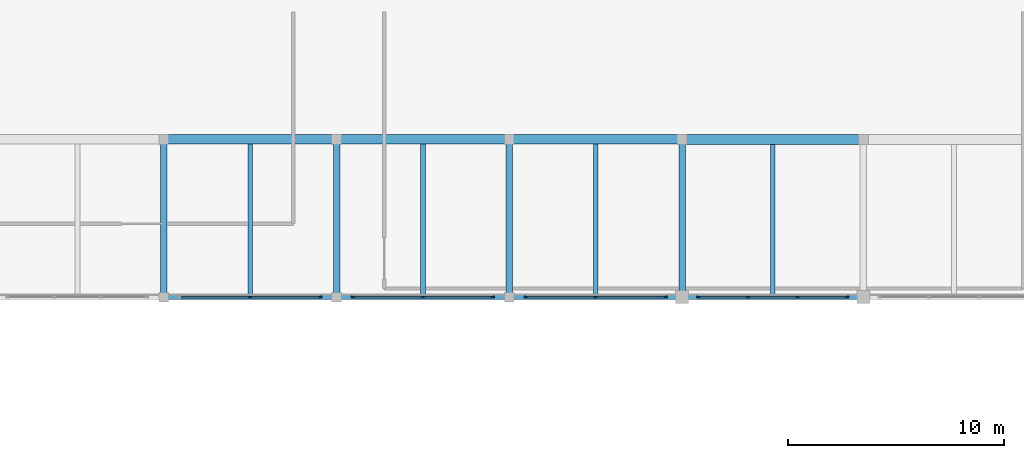
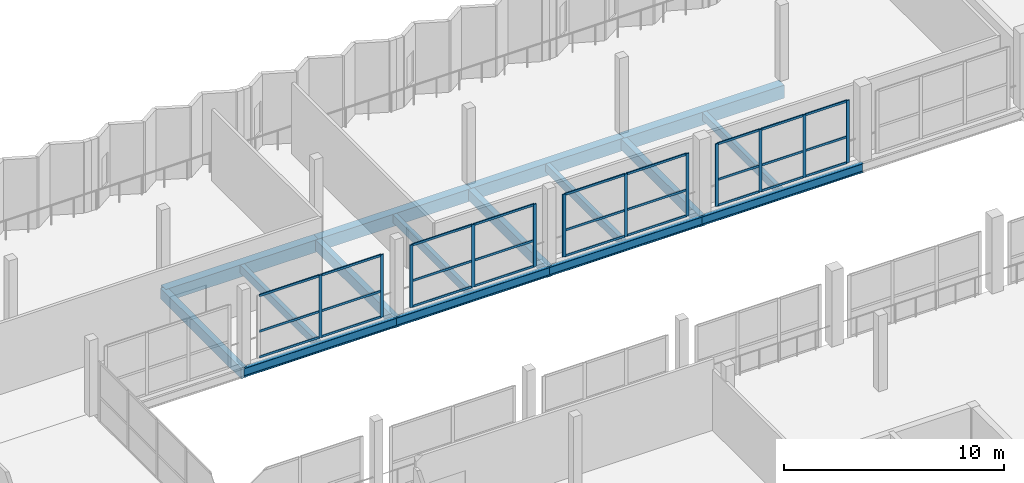
# One storey, part 24 of 53: 39 members, 16 beams, 4 elements without a shape of their own.
"""IFC4 building model written with IfcOpenShell, lengths in metres."""

from ifc_helpers import new_model, si_unit, direction, frame, origin, origin_2d, place, context, subcontext, project, spatial, rectangle, i_section, extrude, material, material_profile, profile_set, type_object, element, aggregate, save


model = new_model("IFC4")

# Units and contexts
model_context = context("Model", 3, precision=1e-05, world=origin(), true_north=direction((0.0, 1.0)))
body_context = subcontext(model_context, "Body", "Model", "MODEL_VIEW")
ifc_project = project(units=[si_unit("LENGTHUNIT", "METRE"), si_unit("AREAUNIT", "SQUARE_METRE"), si_unit("VOLUMEUNIT", "CUBIC_METRE"), si_unit("PLANEANGLEUNIT", "RADIAN"), si_unit("MASSUNIT", "GRAM", prefix="KILO")], contexts=[model_context])

# Site, building, storey
site_placement = place(None, origin())
site = spatial("IfcSite", under=ifc_project, at=site_placement, CompositionType="ELEMENT")
building_placement = place(site_placement, origin())
building = spatial("IfcBuilding", under=site, at=building_placement, Name="Vharandega Faculty of Natural Sciences", CompositionType="ELEMENT")
storey_placement = place(building_placement, frame((0.0, 0.0, 10.199951171875)))
storey = spatial("IfcBuildingStorey", under=building, at=storey_placement, Name="L02", CompositionType="ELEMENT", Elevation=10.199951171875)

# Curtain wall, members
ifc_material_1 = material(Name="Aluminium and solar-control glass curtain wall", Category="aluminium")
curtain_wall_type_1 = type_object("IfcCurtainWallType", Name="Unitised Curtain Wall System CW-02", PredefinedType="NOTDEFINED", material=ifc_material_1)
curtain_wall_1_placement = place(storey_placement, origin())
curtain_wall_1 = element("IfcCurtainWall", 1, at=curtain_wall_1_placement, inside=storey, type_object=curtain_wall_type_1, Name="Curtain Wall CW-L02-057", PredefinedType="NOTDEFINED")
ifc_material_2 = material(Name="Thermally broken aluminium 6063-T6", Category="aluminium")
ifc_material_profile_1 = material_profile(ifc_material_2, rectangle(XDim=0.06005859375, YDim=0.159912109375, at=origin_2d()), Name="ALU 60x160")
ifc_profile_set_1 = profile_set([ifc_material_profile_1], Name="Thermally broken aluminium 6063-T6")
member_type_1 = type_object("IfcMemberType", Name="CW Mullion 60x160", PredefinedType="MULLION", material=ifc_profile_set_1)
member_1_placement = place(storey_placement, frame((36.0, 97.0, 0.0), z_axis=(0.0, 0.0, 1.0), x_axis=(0.0, 1.0, 0.0)))
member_1 = element("IfcMember", 2, at=member_1_placement, type_object=member_type_1, Name="CW-02 mullion 2", PredefinedType="MULLION", context=body_context, shape_type="SweptSolid", body=[
    extrude(rectangle(XDim=0.06005859375, YDim=0.159912109375, at=origin_2d()), origin(), (0.0, 0.0, 1.0), 3.4599609375),
])
member_2_placement = place(storey_placement, frame((39.22998046875, 97.0, 0.0), z_axis=(0.0, 0.0, 1.0), x_axis=(0.0, 1.0, 0.0)))
member_2 = element("IfcMember", 3, at=member_2_placement, type_object=member_type_1, Name="CW-02 mullion 3", PredefinedType="MULLION", context=body_context, shape_type="SweptSolid", body=[
    extrude(rectangle(XDim=0.06005859375, YDim=0.159912109375, at=origin_2d()), origin(), (0.0, 0.0, 1.0), 3.4599609375),
])

ifc_material_3 = material(Name="Aluminium and solar-control glass curtain wall", Category="aluminium")
curtain_wall_type_2 = type_object("IfcCurtainWallType", Name="Unitised Curtain Wall System CW-03", PredefinedType="NOTDEFINED", material=ifc_material_3)
curtain_wall_2_placement = place(storey_placement, origin())
curtain_wall_2 = element("IfcCurtainWall", 4, at=curtain_wall_2_placement, inside=storey, type_object=curtain_wall_type_2, Name="Curtain Wall CW-L02-058", PredefinedType="NOTDEFINED")
member_3_placement = place(storey_placement, frame((40.77001953125, 97.0, 0.0), z_axis=(0.0, 0.0, 1.0), x_axis=(0.0, 1.0, 0.0)))
member_3 = element("IfcMember", 5, at=member_3_placement, type_object=member_type_1, Name="CW-03 mullion 1", PredefinedType="MULLION", context=body_context, shape_type="SweptSolid", body=[
    extrude(rectangle(XDim=0.06005859375, YDim=0.159912109375, at=origin_2d()), origin(), (0.0, 0.0, 1.0), 3.4599609375),
])
member_4_placement = place(storey_placement, frame((44.0, 97.0, 0.0), z_axis=(0.0, 0.0, 1.0), x_axis=(0.0, 1.0, 0.0)))
member_4 = element("IfcMember", 6, at=member_4_placement, type_object=member_type_1, Name="CW-03 mullion 2", PredefinedType="MULLION", context=body_context, shape_type="SweptSolid", body=[
    extrude(rectangle(XDim=0.06005859375, YDim=0.159912109375, at=origin_2d()), origin(), (0.0, 0.0, 1.0), 3.4599609375),
])
member_5_placement = place(storey_placement, frame((47.22998046875, 97.0, 0.0), z_axis=(0.0, 0.0, 1.0), x_axis=(0.0, 1.0, 0.0)))
member_5 = element("IfcMember", 7, at=member_5_placement, type_object=member_type_1, Name="CW-03 mullion 3", PredefinedType="MULLION", context=body_context, shape_type="SweptSolid", body=[
    extrude(rectangle(XDim=0.06005859375, YDim=0.159912109375, at=origin_2d()), origin(), (0.0, 0.0, 1.0), 3.4599609375),
])

ifc_material_4 = material(Name="Aluminium and solar-control glass curtain wall", Category="aluminium")
curtain_wall_type_3 = type_object("IfcCurtainWallType", Name="Unitised Curtain Wall System CW-04", PredefinedType="NOTDEFINED", material=ifc_material_4)
curtain_wall_3_placement = place(storey_placement, origin())
curtain_wall_3 = element("IfcCurtainWall", 8, at=curtain_wall_3_placement, inside=storey, type_object=curtain_wall_type_3, Name="Curtain Wall CW-L02-059", PredefinedType="NOTDEFINED")
member_6_placement = place(storey_placement, frame((48.77001953125, 97.0, 0.0), z_axis=(0.0, 0.0, 1.0), x_axis=(0.0, 1.0, 0.0)))
member_6 = element("IfcMember", 9, at=member_6_placement, type_object=member_type_1, Name="CW-04 mullion 1", PredefinedType="MULLION", context=body_context, shape_type="SweptSolid", body=[
    extrude(rectangle(XDim=0.06005859375, YDim=0.159912109375, at=origin_2d()), origin(), (0.0, 0.0, 1.0), 3.4599609375),
])
member_7_placement = place(storey_placement, frame((52.0, 97.0, 0.0), z_axis=(0.0, 0.0, 1.0), x_axis=(0.0, 1.0, 0.0)))
member_7 = element("IfcMember", 10, at=member_7_placement, type_object=member_type_1, Name="CW-04 mullion 2", PredefinedType="MULLION", context=body_context, shape_type="SweptSolid", body=[
    extrude(rectangle(XDim=0.06005859375, YDim=0.159912109375, at=origin_2d()), origin(), (0.0, 0.0, 1.0), 3.4599609375),
])
member_8_placement = place(storey_placement, frame((55.22998046875, 97.0, 0.0), z_axis=(0.0, 0.0, 1.0), x_axis=(0.0, 1.0, 0.0)))
member_8 = element("IfcMember", 11, at=member_8_placement, type_object=member_type_1, Name="CW-04 mullion 3", PredefinedType="MULLION", context=body_context, shape_type="SweptSolid", body=[
    extrude(rectangle(XDim=0.06005859375, YDim=0.159912109375, at=origin_2d()), origin(), (0.0, 0.0, 1.0), 3.4599609375),
])

ifc_material_5 = material(Name="Aluminium and solar-control glass curtain wall", Category="aluminium")
curtain_wall_type_4 = type_object("IfcCurtainWallType", Name="Unitised Curtain Wall System CW-05", PredefinedType="NOTDEFINED", material=ifc_material_5)
curtain_wall_4_placement = place(storey_placement, origin())
curtain_wall_4 = element("IfcCurtainWall", 12, at=curtain_wall_4_placement, inside=storey, type_object=curtain_wall_type_4, Name="Curtain Wall CW-L02-060", PredefinedType="NOTDEFINED")
member_9_placement = place(storey_placement, frame((56.77001953125, 97.0, 0.0), z_axis=(0.0, 0.0, 1.0), x_axis=(0.0, 1.0, 0.0)))
member_9 = element("IfcMember", 13, at=member_9_placement, type_object=member_type_1, Name="CW-05 mullion 1", PredefinedType="MULLION", context=body_context, shape_type="SweptSolid", body=[
    extrude(rectangle(XDim=0.06005859375, YDim=0.159912109375, at=origin_2d()), origin(), (0.0, 0.0, 1.0), 3.4599609375),
])
member_10_placement = place(storey_placement, frame((59.046630859375, 97.0, 0.0), z_axis=(0.0, 0.0, 1.0), x_axis=(0.0, 1.0, 0.0)))
member_10 = element("IfcMember", 14, at=member_10_placement, type_object=member_type_1, Name="CW-05 mullion 2", PredefinedType="MULLION", context=body_context, shape_type="SweptSolid", body=[
    extrude(rectangle(XDim=0.06005859375, YDim=0.159912109375, at=origin_2d()), origin(), (0.0, 0.0, 1.0), 3.4599609375),
])
member_11_placement = place(storey_placement, frame((61.353271484375, 97.0, 0.0), z_axis=(0.0, 0.0, 1.0), x_axis=(0.0, 1.0, 0.0)))
member_11 = element("IfcMember", 15, at=member_11_placement, type_object=member_type_1, Name="CW-05 mullion 3", PredefinedType="MULLION", context=body_context, shape_type="SweptSolid", body=[
    extrude(rectangle(XDim=0.06005859375, YDim=0.159912109375, at=origin_2d()), origin(), (0.0, 0.0, 1.0), 3.4599609375),
])
member_12_placement = place(storey_placement, frame((63.6298828125, 97.0, 0.0), z_axis=(0.0, 0.0, 1.0), x_axis=(0.0, 1.0, 0.0)))
member_12 = element("IfcMember", 16, at=member_12_placement, type_object=member_type_1, Name="CW-05 mullion 4", PredefinedType="MULLION", context=body_context, shape_type="SweptSolid", body=[
    extrude(rectangle(XDim=0.06005859375, YDim=0.159912109375, at=origin_2d()), origin(), (0.0, 0.0, 1.0), 3.4599609375),
])

# Member
ifc_material_6 = material(Name="Thermally broken aluminium 6063-T6", Category="aluminium")
ifc_material_profile_2 = material_profile(ifc_material_6, rectangle(XDim=0.06005859375, YDim=0.1201171875, at=origin_2d()), Name="ALU 60x120")
ifc_profile_set_2 = profile_set([ifc_material_profile_2], Name="Thermally broken aluminium 6063-T6")
member_type_2 = type_object("IfcMemberType", Name="CW Transom 60x120", PredefinedType="USERDEFINED", material=ifc_profile_set_2)
member_13_placement = place(storey_placement, frame((32.800048828125, 97.0, 0.030029296875), z_axis=(1.0, 0.0, 0.0), x_axis=(0.0, 1.0, 0.0)))
member_13 = element("IfcMember", 17, at=member_13_placement, type_object=member_type_2, Name="CW-02 transom 1.1", ObjectType="TRANSOM", PredefinedType="USERDEFINED", context=body_context, shape_type="SweptSolid", body=[
    extrude(rectangle(XDim=0.06005859375, YDim=0.1201171875, at=origin_2d()), origin(), (0.0, 0.0, 1.0), 3.169921875),
])

member_14_placement = place(storey_placement, frame((32.800048828125, 97.0, 1.453369140625), z_axis=(1.0, 0.0, 0.0), x_axis=(0.0, 1.0, 0.0)))
member_14 = element("IfcMember", 18, at=member_14_placement, type_object=member_type_2, Name="CW-02 transom 1.2", ObjectType="TRANSOM", PredefinedType="USERDEFINED", context=body_context, shape_type="SweptSolid", body=[
    extrude(rectangle(XDim=0.06005859375, YDim=0.1201171875, at=origin_2d()), origin(), (0.0, 0.0, 1.0), 3.169921875),
])

member_15_placement = place(storey_placement, frame((32.800048828125, 97.0, 3.429931640625), z_axis=(1.0, 0.0, 0.0), x_axis=(0.0, 1.0, 0.0)))
member_15 = element("IfcMember", 19, at=member_15_placement, type_object=member_type_2, Name="CW-02 transom 1.3", ObjectType="TRANSOM", PredefinedType="USERDEFINED", context=body_context, shape_type="SweptSolid", body=[
    extrude(rectangle(XDim=0.06005859375, YDim=0.1201171875, at=origin_2d()), origin(), (0.0, 0.0, 1.0), 3.169921875),
])

member_16_placement = place(storey_placement, frame((36.030029296875, 97.0, 0.030029296875), z_axis=(1.0, 0.0, 0.0), x_axis=(0.0, 1.0, 0.0)))
member_16 = element("IfcMember", 20, at=member_16_placement, type_object=member_type_2, Name="CW-02 transom 2.1", ObjectType="TRANSOM", PredefinedType="USERDEFINED", context=body_context, shape_type="SweptSolid", body=[
    extrude(rectangle(XDim=0.06005859375, YDim=0.1201171875, at=origin_2d()), origin(), (0.0, 0.0, 1.0), 3.169921875),
])

member_17_placement = place(storey_placement, frame((36.030029296875, 97.0, 1.453369140625), z_axis=(1.0, 0.0, 0.0), x_axis=(0.0, 1.0, 0.0)))
member_17 = element("IfcMember", 21, at=member_17_placement, type_object=member_type_2, Name="CW-02 transom 2.2", ObjectType="TRANSOM", PredefinedType="USERDEFINED", context=body_context, shape_type="SweptSolid", body=[
    extrude(rectangle(XDim=0.06005859375, YDim=0.1201171875, at=origin_2d()), origin(), (0.0, 0.0, 1.0), 3.169921875),
])

member_18_placement = place(storey_placement, frame((36.030029296875, 97.0, 3.429931640625), z_axis=(1.0, 0.0, 0.0), x_axis=(0.0, 1.0, 0.0)))
member_18 = element("IfcMember", 22, at=member_18_placement, type_object=member_type_2, Name="CW-02 transom 2.3", ObjectType="TRANSOM", PredefinedType="USERDEFINED", context=body_context, shape_type="SweptSolid", body=[
    extrude(rectangle(XDim=0.06005859375, YDim=0.1201171875, at=origin_2d()), origin(), (0.0, 0.0, 1.0), 3.169921875),
])

aggregate(curtain_wall_1, [member_1, member_2, member_13, member_14, member_15, member_16, member_17, member_18])

member_19_placement = place(storey_placement, frame((40.800048828125, 97.0, 0.030029296875), z_axis=(1.0, 0.0, 0.0), x_axis=(0.0, 1.0, 0.0)))
member_19 = element("IfcMember", 23, at=member_19_placement, type_object=member_type_2, Name="CW-03 transom 1.1", ObjectType="TRANSOM", PredefinedType="USERDEFINED", context=body_context, shape_type="SweptSolid", body=[
    extrude(rectangle(XDim=0.06005859375, YDim=0.1201171875, at=origin_2d()), origin(), (0.0, 0.0, 1.0), 3.169921875),
])

member_20_placement = place(storey_placement, frame((40.800048828125, 97.0, 1.453369140625), z_axis=(1.0, 0.0, 0.0), x_axis=(0.0, 1.0, 0.0)))
member_20 = element("IfcMember", 24, at=member_20_placement, type_object=member_type_2, Name="CW-03 transom 1.2", ObjectType="TRANSOM", PredefinedType="USERDEFINED", context=body_context, shape_type="SweptSolid", body=[
    extrude(rectangle(XDim=0.06005859375, YDim=0.1201171875, at=origin_2d()), origin(), (0.0, 0.0, 1.0), 3.169921875),
])

member_21_placement = place(storey_placement, frame((40.800048828125, 97.0, 3.429931640625), z_axis=(1.0, 0.0, 0.0), x_axis=(0.0, 1.0, 0.0)))
member_21 = element("IfcMember", 25, at=member_21_placement, type_object=member_type_2, Name="CW-03 transom 1.3", ObjectType="TRANSOM", PredefinedType="USERDEFINED", context=body_context, shape_type="SweptSolid", body=[
    extrude(rectangle(XDim=0.06005859375, YDim=0.1201171875, at=origin_2d()), origin(), (0.0, 0.0, 1.0), 3.169921875),
])

member_22_placement = place(storey_placement, frame((44.030029296875, 97.0, 0.030029296875), z_axis=(1.0, 0.0, 0.0), x_axis=(0.0, 1.0, 0.0)))
member_22 = element("IfcMember", 26, at=member_22_placement, type_object=member_type_2, Name="CW-03 transom 2.1", ObjectType="TRANSOM", PredefinedType="USERDEFINED", context=body_context, shape_type="SweptSolid", body=[
    extrude(rectangle(XDim=0.06005859375, YDim=0.1201171875, at=origin_2d()), origin(), (0.0, 0.0, 1.0), 3.169921875),
])

member_23_placement = place(storey_placement, frame((44.030029296875, 97.0, 1.453369140625), z_axis=(1.0, 0.0, 0.0), x_axis=(0.0, 1.0, 0.0)))
member_23 = element("IfcMember", 27, at=member_23_placement, type_object=member_type_2, Name="CW-03 transom 2.2", ObjectType="TRANSOM", PredefinedType="USERDEFINED", context=body_context, shape_type="SweptSolid", body=[
    extrude(rectangle(XDim=0.06005859375, YDim=0.1201171875, at=origin_2d()), origin(), (0.0, 0.0, 1.0), 3.169921875),
])

member_24_placement = place(storey_placement, frame((44.030029296875, 97.0, 3.429931640625), z_axis=(1.0, 0.0, 0.0), x_axis=(0.0, 1.0, 0.0)))
member_24 = element("IfcMember", 28, at=member_24_placement, type_object=member_type_2, Name="CW-03 transom 2.3", ObjectType="TRANSOM", PredefinedType="USERDEFINED", context=body_context, shape_type="SweptSolid", body=[
    extrude(rectangle(XDim=0.06005859375, YDim=0.1201171875, at=origin_2d()), origin(), (0.0, 0.0, 1.0), 3.169921875),
])

aggregate(curtain_wall_2, [member_3, member_4, member_5, member_19, member_20, member_21, member_22, member_23, member_24])

member_25_placement = place(storey_placement, frame((48.800048828125, 97.0, 0.030029296875), z_axis=(1.0, 0.0, 0.0), x_axis=(0.0, 1.0, 0.0)))
member_25 = element("IfcMember", 29, at=member_25_placement, type_object=member_type_2, Name="CW-04 transom 1.1", ObjectType="TRANSOM", PredefinedType="USERDEFINED", context=body_context, shape_type="SweptSolid", body=[
    extrude(rectangle(XDim=0.06005859375, YDim=0.1201171875, at=origin_2d()), origin(), (0.0, 0.0, 1.0), 3.169921875),
])

member_26_placement = place(storey_placement, frame((48.800048828125, 97.0, 1.453369140625), z_axis=(1.0, 0.0, 0.0), x_axis=(0.0, 1.0, 0.0)))
member_26 = element("IfcMember", 30, at=member_26_placement, type_object=member_type_2, Name="CW-04 transom 1.2", ObjectType="TRANSOM", PredefinedType="USERDEFINED", context=body_context, shape_type="SweptSolid", body=[
    extrude(rectangle(XDim=0.06005859375, YDim=0.1201171875, at=origin_2d()), origin(), (0.0, 0.0, 1.0), 3.169921875),
])

member_27_placement = place(storey_placement, frame((48.800048828125, 97.0, 3.429931640625), z_axis=(1.0, 0.0, 0.0), x_axis=(0.0, 1.0, 0.0)))
member_27 = element("IfcMember", 31, at=member_27_placement, type_object=member_type_2, Name="CW-04 transom 1.3", ObjectType="TRANSOM", PredefinedType="USERDEFINED", context=body_context, shape_type="SweptSolid", body=[
    extrude(rectangle(XDim=0.06005859375, YDim=0.1201171875, at=origin_2d()), origin(), (0.0, 0.0, 1.0), 3.169921875),
])

member_28_placement = place(storey_placement, frame((52.030029296875, 97.0, 0.030029296875), z_axis=(1.0, 0.0, 0.0), x_axis=(0.0, 1.0, 0.0)))
member_28 = element("IfcMember", 32, at=member_28_placement, type_object=member_type_2, Name="CW-04 transom 2.1", ObjectType="TRANSOM", PredefinedType="USERDEFINED", context=body_context, shape_type="SweptSolid", body=[
    extrude(rectangle(XDim=0.06005859375, YDim=0.1201171875, at=origin_2d()), origin(), (0.0, 0.0, 1.0), 3.169921875),
])

member_29_placement = place(storey_placement, frame((52.030029296875, 97.0, 1.453369140625), z_axis=(1.0, 0.0, 0.0), x_axis=(0.0, 1.0, 0.0)))
member_29 = element("IfcMember", 33, at=member_29_placement, type_object=member_type_2, Name="CW-04 transom 2.2", ObjectType="TRANSOM", PredefinedType="USERDEFINED", context=body_context, shape_type="SweptSolid", body=[
    extrude(rectangle(XDim=0.06005859375, YDim=0.1201171875, at=origin_2d()), origin(), (0.0, 0.0, 1.0), 3.169921875),
])

member_30_placement = place(storey_placement, frame((52.030029296875, 97.0, 3.429931640625), z_axis=(1.0, 0.0, 0.0), x_axis=(0.0, 1.0, 0.0)))
member_30 = element("IfcMember", 34, at=member_30_placement, type_object=member_type_2, Name="CW-04 transom 2.3", ObjectType="TRANSOM", PredefinedType="USERDEFINED", context=body_context, shape_type="SweptSolid", body=[
    extrude(rectangle(XDim=0.06005859375, YDim=0.1201171875, at=origin_2d()), origin(), (0.0, 0.0, 1.0), 3.169921875),
])

aggregate(curtain_wall_3, [member_6, member_7, member_8, member_25, member_26, member_27, member_28, member_29, member_30])

member_31_placement = place(storey_placement, frame((56.800048828125, 97.0, 0.030029296875), z_axis=(1.0, 0.0, 0.0), x_axis=(0.0, 1.0, 0.0)))
member_31 = element("IfcMember", 35, at=member_31_placement, type_object=member_type_2, Name="CW-05 transom 1.1", ObjectType="TRANSOM", PredefinedType="USERDEFINED", context=body_context, shape_type="SweptSolid", body=[
    extrude(rectangle(XDim=0.06005859375, YDim=0.1201171875, at=origin_2d()), origin(), (0.0, 0.0, 1.0), 2.216552734375),
])

member_32_placement = place(storey_placement, frame((56.800048828125, 97.0, 1.453369140625), z_axis=(1.0, 0.0, 0.0), x_axis=(0.0, 1.0, 0.0)))
member_32 = element("IfcMember", 36, at=member_32_placement, type_object=member_type_2, Name="CW-05 transom 1.2", ObjectType="TRANSOM", PredefinedType="USERDEFINED", context=body_context, shape_type="SweptSolid", body=[
    extrude(rectangle(XDim=0.06005859375, YDim=0.1201171875, at=origin_2d()), origin(), (0.0, 0.0, 1.0), 2.216552734375),
])

member_33_placement = place(storey_placement, frame((56.800048828125, 97.0, 3.429931640625), z_axis=(1.0, 0.0, 0.0), x_axis=(0.0, 1.0, 0.0)))
member_33 = element("IfcMember", 37, at=member_33_placement, type_object=member_type_2, Name="CW-05 transom 1.3", ObjectType="TRANSOM", PredefinedType="USERDEFINED", context=body_context, shape_type="SweptSolid", body=[
    extrude(rectangle(XDim=0.06005859375, YDim=0.1201171875, at=origin_2d()), origin(), (0.0, 0.0, 1.0), 2.216552734375),
])

member_34_placement = place(storey_placement, frame((59.07666015625, 97.0, 0.030029296875), z_axis=(1.0, 0.0, 0.0), x_axis=(0.0, 1.0, 0.0)))
member_34 = element("IfcMember", 38, at=member_34_placement, type_object=member_type_2, Name="CW-05 transom 2.1", ObjectType="TRANSOM", PredefinedType="USERDEFINED", context=body_context, shape_type="SweptSolid", body=[
    extrude(rectangle(XDim=0.06005859375, YDim=0.1201171875, at=origin_2d()), origin(), (0.0, 0.0, 1.0), 2.24658203125),
])

member_35_placement = place(storey_placement, frame((59.07666015625, 97.0, 1.453369140625), z_axis=(1.0, 0.0, 0.0), x_axis=(0.0, 1.0, 0.0)))
member_35 = element("IfcMember", 39, at=member_35_placement, type_object=member_type_2, Name="CW-05 transom 2.2", ObjectType="TRANSOM", PredefinedType="USERDEFINED", context=body_context, shape_type="SweptSolid", body=[
    extrude(rectangle(XDim=0.06005859375, YDim=0.1201171875, at=origin_2d()), origin(), (0.0, 0.0, 1.0), 2.24658203125),
])

member_36_placement = place(storey_placement, frame((59.07666015625, 97.0, 3.429931640625), z_axis=(1.0, 0.0, 0.0), x_axis=(0.0, 1.0, 0.0)))
member_36 = element("IfcMember", 40, at=member_36_placement, type_object=member_type_2, Name="CW-05 transom 2.3", ObjectType="TRANSOM", PredefinedType="USERDEFINED", context=body_context, shape_type="SweptSolid", body=[
    extrude(rectangle(XDim=0.06005859375, YDim=0.1201171875, at=origin_2d()), origin(), (0.0, 0.0, 1.0), 2.24658203125),
])

member_37_placement = place(storey_placement, frame((61.38330078125, 97.0, 0.030029296875), z_axis=(1.0, 0.0, 0.0), x_axis=(0.0, 1.0, 0.0)))
member_37 = element("IfcMember", 41, at=member_37_placement, type_object=member_type_2, Name="CW-05 transom 3.1", ObjectType="TRANSOM", PredefinedType="USERDEFINED", context=body_context, shape_type="SweptSolid", body=[
    extrude(rectangle(XDim=0.06005859375, YDim=0.1201171875, at=origin_2d()), origin(), (0.0, 0.0, 1.0), 2.216796875),
])

member_38_placement = place(storey_placement, frame((61.38330078125, 97.0, 1.453369140625), z_axis=(1.0, 0.0, 0.0), x_axis=(0.0, 1.0, 0.0)))
member_38 = element("IfcMember", 42, at=member_38_placement, type_object=member_type_2, Name="CW-05 transom 3.2", ObjectType="TRANSOM", PredefinedType="USERDEFINED", context=body_context, shape_type="SweptSolid", body=[
    extrude(rectangle(XDim=0.06005859375, YDim=0.1201171875, at=origin_2d()), origin(), (0.0, 0.0, 1.0), 2.216796875),
])

member_39_placement = place(storey_placement, frame((61.38330078125, 97.0, 3.429931640625), z_axis=(1.0, 0.0, 0.0), x_axis=(0.0, 1.0, 0.0)))
member_39 = element("IfcMember", 43, at=member_39_placement, type_object=member_type_2, Name="CW-05 transom 3.3", ObjectType="TRANSOM", PredefinedType="USERDEFINED", context=body_context, shape_type="SweptSolid", body=[
    extrude(rectangle(XDim=0.06005859375, YDim=0.1201171875, at=origin_2d()), origin(), (0.0, 0.0, 1.0), 2.216796875),
])

aggregate(curtain_wall_4, [member_9, member_10, member_11, member_12, member_31, member_32, member_33, member_34, member_35, member_36, member_37, member_38, member_39])

# Beams
ifc_material_7 = material(Name="Glulam GL28h", Category="wood")
ifc_material_profile_3 = material_profile(ifc_material_7, rectangle(XDim=0.300048828125, YDim=0.60009765625, at=origin_2d()), Name="GL28h 300x600")
ifc_profile_set_3 = profile_set([ifc_material_profile_3], Name="Glulam GL28h")
beam_type_1 = type_object("IfcBeamType", Name="Glulam Floor Beam 300x600", PredefinedType="BEAM", material=ifc_profile_set_3)
for number, where, z_axis, x_axis, name in (
    (44, (32.0, 97.0, -0.56005859375), (0.0, 1.0, 0.0), (-1.0, 0.0, 0.0), "Beam L02 5/N-P"),
    (45, (40.0, 97.0, -0.56005859375), (0.0, 1.0, 0.0), (-1.0, 0.0, 0.0), "Beam L02 6/N-P"),
    (46, (48.0, 97.0, -0.56005859375), (0.0, 1.0, 0.0), (-1.0, 0.0, 0.0), "Beam L02 7/N-P"),
    (47, (56.0, 97.0, -0.56005859375), (0.0, 1.0, 0.0), (-1.0, 0.0, 0.0), "Beam L02 8/N-P"),
):
    element("IfcBeam", number, at=place(storey_placement, frame(where, z_axis=z_axis, x_axis=x_axis)), inside=storey, type_object=beam_type_1, Name=name, PredefinedType="BEAM", context=body_context, shape_type="SweptSolid", body=[
        extrude(rectangle(XDim=0.300048828125, YDim=0.60009765625, at=origin_2d()), origin(), (0.0, 0.0, 1.0), 7.300048828125),
    ])
ifc_material_8 = material(Name="Glulam GL32h", Category="wood")
ifc_material_profile_4 = material_profile(ifc_material_8, rectangle(XDim=0.43994140625, YDim=0.679931640625, at=origin_2d()), Name="GL32h 440x680")
ifc_profile_set_4 = profile_set([ifc_material_profile_4], Name="Glulam GL32h")
beam_type_2 = type_object("IfcBeamType", Name="Glulam Girder 440x680", PredefinedType="BEAM", material=ifc_profile_set_4)
for number, where, z_axis, x_axis, name in (
    (48, (32.0, 104.300048828125, -0.599853515625), (1.0, 0.0, 0.0), (0.0, 1.0, 0.0), "Beam L02 P/5-6"),
    (49, (40.0, 104.300048828125, -0.599853515625), (1.0, 0.0, 0.0), (0.0, 1.0, 0.0), "Beam L02 P/6-7"),
    (50, (48.0, 104.300048828125, -0.599853515625), (1.0, 0.0, 0.0), (0.0, 1.0, 0.0), "Beam L02 P/7-8"),
):
    element("IfcBeam", number, at=place(storey_placement, frame(where, z_axis=z_axis, x_axis=x_axis)), inside=storey, type_object=beam_type_2, Name=name, PredefinedType="BEAM", context=body_context, shape_type="SweptSolid", body=[
        extrude(rectangle(XDim=0.43994140625, YDim=0.679931640625, at=origin_2d()), origin(), (0.0, 0.0, 1.0), 8.0),
    ])
ifc_material_9 = material(Name="Glulam GL32h", Category="wood")
ifc_material_profile_5 = material_profile(ifc_material_9, rectangle(XDim=0.47998046875, YDim=0.719970703125, at=origin_2d()), Name="GL32h 480x720")
ifc_profile_set_5 = profile_set([ifc_material_profile_5], Name="Glulam GL32h")
beam_type_3 = type_object("IfcBeamType", Name="Glulam Primary Girder 480x720", PredefinedType="BEAM", material=ifc_profile_set_5)
beam_1_placement = place(storey_placement, frame((56.0, 104.300048828125, -0.619873046875), z_axis=(1.0, 0.0, 0.0), x_axis=(0.0, 1.0, 0.0)))
element("IfcBeam", 51, at=beam_1_placement, inside=storey, type_object=beam_type_3, Name="Beam L02 P/8-9", PredefinedType="BEAM", context=body_context, shape_type="SweptSolid", body=[
    extrude(rectangle(XDim=0.47998046875, YDim=0.719970703125, at=origin_2d()), origin(), (0.0, 0.0, 1.0), 8.39990234375),
])
ifc_material_10 = material(Name="Glulam GL28h", Category="wood")
ifc_material_profile_6 = material_profile(ifc_material_10, rectangle(XDim=0.219970703125, YDim=0.43994140625, at=origin_2d()), Name="GL28h 220x440")
ifc_profile_set_6 = profile_set([ifc_material_profile_6], Name="Glulam GL28h")
beam_type_4 = type_object("IfcBeamType", Name="Glulam Secondary Joist 220x440", PredefinedType="JOIST", material=ifc_profile_set_6)
for number, where, z_axis, x_axis, name in (
    (52, (36.0, 97.10009765625, -0.47998046875), (0.0, 1.0, 0.0), (-1.0, 0.0, 0.0), "Secondary Joist L02 5-6/N-P"),
    (53, (44.0, 97.10009765625, -0.47998046875), (0.0, 1.0, 0.0), (-1.0, 0.0, 0.0), "Secondary Joist L02 6-7/N-P"),
    (54, (52.0, 97.10009765625, -0.47998046875), (0.0, 1.0, 0.0), (-1.0, 0.0, 0.0), "Secondary Joist L02 7-8/N-P"),
):
    element("IfcBeam", number, at=place(storey_placement, frame(where, z_axis=z_axis, x_axis=x_axis)), inside=storey, type_object=beam_type_4, Name=name, PredefinedType="JOIST", context=body_context, shape_type="SweptSolid", body=[
        extrude(rectangle(XDim=0.219970703125, YDim=0.43994140625, at=origin_2d()), origin(), (0.0, 0.0, 1.0), 6.97998046875),
    ])
beam_2_placement = place(storey_placement, frame((60.199951171875, 97.10009765625, -0.47998046875), z_axis=(0.0, 1.0, 0.0), x_axis=(-1.0, 0.0, 0.0)))
element("IfcBeam", 55, at=beam_2_placement, inside=storey, type_object=beam_type_4, Name="Secondary Joist L02 8-9/N-P", PredefinedType="JOIST", context=body_context, shape_type="SweptSolid", body=[
    extrude(rectangle(XDim=0.219970703125, YDim=0.43994140625, at=origin_2d()), origin(), (0.0, 0.0, 1.0), 6.9599609375),
])
ifc_material_11 = material(Name="Steel S355", Category="steel")
ifc_material_profile_7 = material_profile(ifc_material_11, i_section(OverallWidth=0.199951171875, OverallDepth=0.5, WebThickness=0.01025390625, FlangeThickness=0.01611328125, FilletRadius=0.02099609375, at=origin_2d()), Name="IPE 500")
ifc_profile_set_7 = profile_set([ifc_material_profile_7], Name="Steel S355")
beam_type_5 = type_object("IfcBeamType", Name="Steel Spandrel Beam IPE 500", PredefinedType="SPANDREL", material=ifc_profile_set_7)
for number, where, z_axis, x_axis, name in (
    (56, (32.0, 97.0, -0.510009765625), (1.0, 0.0, 0.0), (0.0, 1.0, 0.0), "Beam L02 N/5-6"),
    (57, (40.0, 97.0, -0.510009765625), (1.0, 0.0, 0.0), (0.0, 1.0, 0.0), "Beam L02 N/6-7"),
    (58, (48.0, 97.0, -0.510009765625), (1.0, 0.0, 0.0), (0.0, 1.0, 0.0), "Beam L02 N/7-8"),
):
    element("IfcBeam", number, at=place(storey_placement, frame(where, z_axis=z_axis, x_axis=x_axis)), inside=storey, type_object=beam_type_5, Name=name, PredefinedType="SPANDREL", context=body_context, shape_type="SweptSolid", body=[
        extrude(i_section(OverallWidth=0.199951171875, OverallDepth=0.5, WebThickness=0.01025390625, FlangeThickness=0.01611328125, FilletRadius=0.02099609375, at=origin_2d()), origin(), (0.0, 0.0, 1.0), 8.0),
    ])
beam_3_placement = place(storey_placement, frame((56.0, 97.0, -0.510009765625), z_axis=(1.0, 0.0, 0.0), x_axis=(0.0, 1.0, 0.0)))
element("IfcBeam", 59, at=beam_3_placement, inside=storey, type_object=beam_type_5, Name="Beam L02 N/8-9", PredefinedType="SPANDREL", context=body_context, shape_type="SweptSolid", body=[
    extrude(i_section(OverallWidth=0.199951171875, OverallDepth=0.5, WebThickness=0.01025390625, FlangeThickness=0.01611328125, FilletRadius=0.02099609375, at=origin_2d()), origin(), (0.0, 0.0, 1.0), 8.39990234375),
])

save(model, "model.ifc")
